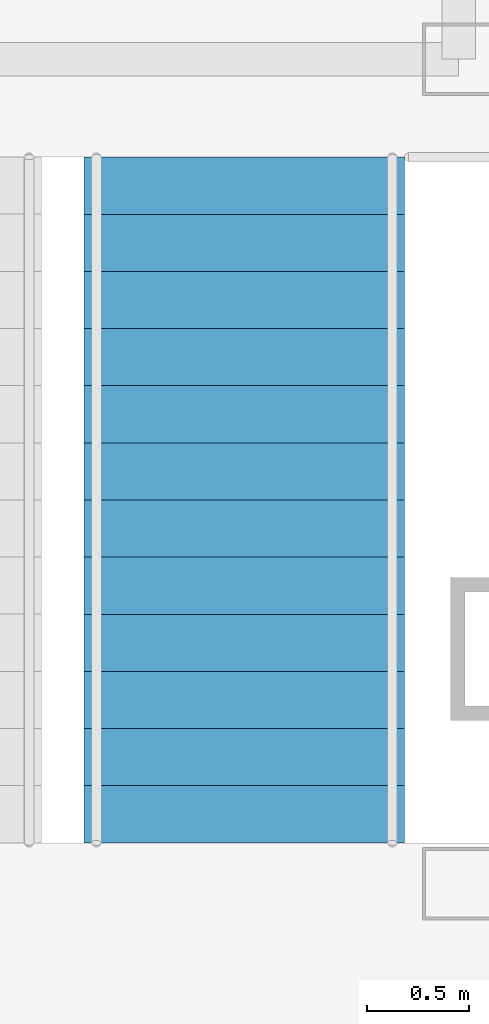
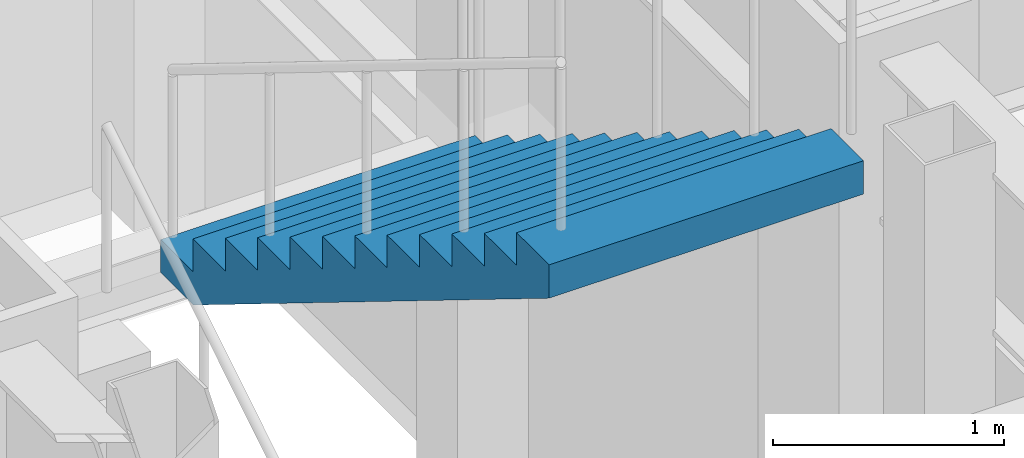
# One storey, part 14 of 26: 1 stair flight, 1 element without a shape of its own.
"""IFC4 building model written with IfcOpenShell, lengths in metres."""

from ifc_helpers import new_model, si_unit, direction, frame, origin, place, context, subcontext, project, spatial, faceted_brep, material, type_object, element, aggregate, save


model = new_model("IFC4")

# Units and contexts
model_context = context("Model", 3, precision=1e-05, world=origin(), true_north=direction((0.0, 1.0)))
body_context = subcontext(model_context, "Body", "Model", "MODEL_VIEW")
ifc_project = project(units=[si_unit("LENGTHUNIT", "METRE"), si_unit("AREAUNIT", "SQUARE_METRE"), si_unit("VOLUMEUNIT", "CUBIC_METRE"), si_unit("PLANEANGLEUNIT", "RADIAN"), si_unit("MASSUNIT", "GRAM", prefix="KILO")], contexts=[model_context])

# Site, building, storey
site_placement = place(None, origin())
site = spatial("IfcSite", under=ifc_project, at=site_placement, CompositionType="ELEMENT")
building_placement = place(site_placement, origin())
building = spatial("IfcBuilding", under=site, at=building_placement, Name="Chuquiago Exchange Tower", CompositionType="ELEMENT")
storey_placement = place(building_placement, frame((0.0, 0.0, 102.300048828125)))
storey = spatial("IfcBuildingStorey", under=building, at=storey_placement, Name="L21", CompositionType="ELEMENT", Elevation=102.300048828125)

# Stair, stair flight
ifc_material_1 = material(Name="Concrete C30/37, precast", Category="concrete")
stair_type = type_object("IfcStairType", Name="ST2 half-turn stair 4500", PredefinedType="HALF_TURN_STAIR", material=ifc_material_1)
stair_placement = place(storey_placement, origin())
stair = element("IfcStair", 1, at=stair_placement, inside=storey, type_object=stair_type, Name="Stair ST2 L21", PredefinedType="HALF_TURN_STAIR")
ifc_material_2 = material(Name="Concrete C30/37, precast", Category="concrete")
stair_flight_type = type_object("IfcStairFlightType", Name="ST-F flight 1570 for 4500 storey", PredefinedType="STRAIGHT", material=ifc_material_2)
stair_flight_placement = place(storey_placement, frame((31.639892578125, 26.409912109375, 2.25), z_axis=(0.0, 0.0, 1.0), x_axis=(0.0, -1.0, 0.0)))
stair_flight = element("IfcStairFlight", 2, at=stair_flight_placement, type_object=stair_flight_type, Name="ST2 flight 2", NumberOfRisers=13, NumberOfTreads=12, PredefinedType="STRAIGHT", RiserHeight=0.173076923, TreadLength=0.28, context=body_context, shape_type="Brep", body=[
    faceted_brep([(0.0, 0.78515625, 0.0), (0.0, 0.78515625, 0.173095703125), (0.280029296875, 0.78515625, 0.173095703125), (0.280029296875, 0.78515625, 0.34619140625), (0.56005859375, 0.78515625, 0.34619140625), (0.56005859375, 0.78515625, 0.519287109375), (0.840087890625, 0.78515625, 0.519287109375), (0.840087890625, 0.78515625, 0.6923828125), (1.1201171875, 0.78515625, 0.6923828125), (1.1201171875, 0.78515625, 0.865478515625), (1.39990234375, 0.78515625, 0.865478515625), (1.39990234375, 0.78515625, 1.03857421875), (1.679931640625, 0.78515625, 1.03857421875), (1.679931640625, 0.78515625, 1.21142578125), (1.9599609375, 0.78515625, 1.21142578125), (1.9599609375, 0.78515625, 1.384521484375), (2.239990234375, 0.78515625, 1.384521484375), (2.239990234375, 0.78515625, 1.5576171875), (2.52001953125, 0.78515625, 1.5576171875), (2.52001953125, 0.78515625, 1.730712890625), (2.800048828125, 0.78515625, 1.730712890625), (2.800048828125, 0.78515625, 1.90380859375), (3.080078125, 0.78515625, 1.90380859375), (3.080078125, 0.78515625, 2.076904296875), (3.360107421875, 0.78515625, 2.076904296875), (3.360107421875, 0.78515625, 1.900634765625), (0.28515625, 0.78515625, 0.0), (0.28515625, -0.78515625, 0.0), (3.360107421875, -0.78515625, 1.900634765625), (3.360107421875, -0.78515625, 2.076904296875), (3.080078125, -0.78515625, 2.076904296875), (3.080078125, -0.78515625, 1.90380859375), (2.800048828125, -0.78515625, 1.90380859375), (2.800048828125, -0.78515625, 1.730712890625), (2.52001953125, -0.78515625, 1.730712890625), (2.52001953125, -0.78515625, 1.5576171875), (2.239990234375, -0.78515625, 1.5576171875), (2.239990234375, -0.78515625, 1.384521484375), (1.9599609375, -0.78515625, 1.384521484375), (1.9599609375, -0.78515625, 1.21142578125), (1.679931640625, -0.78515625, 1.21142578125), (1.679931640625, -0.78515625, 1.03857421875), (1.39990234375, -0.78515625, 1.03857421875), (1.39990234375, -0.78515625, 0.865478515625), (1.1201171875, -0.78515625, 0.865478515625), (1.1201171875, -0.78515625, 0.6923828125), (0.840087890625, -0.78515625, 0.6923828125), (0.840087890625, -0.78515625, 0.519287109375), (0.56005859375, -0.78515625, 0.519287109375), (0.56005859375, -0.78515625, 0.34619140625), (0.280029296875, -0.78515625, 0.34619140625), (0.280029296875, -0.78515625, 0.173095703125), (0.0, -0.78515625, 0.173095703125), (0.0, -0.78515625, 0.0), (0.0, 0.392578125, 0.0), (0.0, 0.392578125, 0.173095703125), (0.0, 0.0, 0.0), (0.0, 0.0, 0.173095703125), (0.0, -0.392578125, 0.0), (0.0, -0.392578125, 0.173095703125), (0.280029296875, 0.392578125, 0.173095703125), (0.280029296875, 0.0, 0.173095703125), (0.280029296875, -0.392578125, 0.173095703125), (0.280029296875, 0.392578125, 0.34619140625), (0.280029296875, 0.0, 0.34619140625), (0.280029296875, -0.392578125, 0.34619140625), (0.56005859375, 0.392578125, 0.34619140625), (0.56005859375, 0.0, 0.34619140625), (0.56005859375, -0.392578125, 0.34619140625), (0.56005859375, 0.392578125, 0.519287109375), (0.56005859375, 0.0, 0.519287109375), (0.56005859375, -0.392578125, 0.519287109375), (0.840087890625, 0.392578125, 0.519287109375), (0.840087890625, 0.0, 0.519287109375), (0.840087890625, -0.392578125, 0.519287109375), (0.840087890625, 0.392578125, 0.6923828125), (0.840087890625, 0.0, 0.6923828125), (0.840087890625, -0.392578125, 0.6923828125), (1.1201171875, 0.392578125, 0.6923828125), (1.1201171875, 0.0, 0.6923828125), (1.1201171875, -0.392578125, 0.6923828125), (1.1201171875, 0.392578125, 0.865478515625), (1.1201171875, 0.0, 0.865478515625), (1.1201171875, -0.392578125, 0.865478515625), (1.39990234375, 0.392578125, 0.865478515625), (1.39990234375, 0.0, 0.865478515625), (1.39990234375, -0.392578125, 0.865478515625), (1.39990234375, 0.392578125, 1.03857421875), (1.39990234375, 0.0, 1.03857421875), (1.39990234375, -0.392578125, 1.03857421875), (1.679931640625, 0.392578125, 1.03857421875), (1.679931640625, 0.0, 1.03857421875), (1.679931640625, -0.392578125, 1.03857421875), (1.679931640625, 0.392578125, 1.21142578125), (1.679931640625, 0.0, 1.21142578125), (1.679931640625, -0.392578125, 1.21142578125), (1.9599609375, 0.392578125, 1.21142578125), (1.9599609375, 0.0, 1.21142578125), (1.9599609375, -0.392578125, 1.21142578125), (1.9599609375, 0.392578125, 1.384521484375), (1.9599609375, 0.0, 1.384521484375), (1.9599609375, -0.392578125, 1.384521484375), (2.239990234375, 0.392578125, 1.384521484375), (2.239990234375, 0.0, 1.384521484375), (2.239990234375, -0.392578125, 1.384521484375), (2.239990234375, 0.392578125, 1.5576171875), (2.239990234375, 0.0, 1.5576171875), (2.239990234375, -0.392578125, 1.5576171875), (2.52001953125, 0.392578125, 1.5576171875), (2.52001953125, 0.0, 1.5576171875), (2.52001953125, -0.392578125, 1.5576171875), (2.52001953125, 0.392578125, 1.730712890625), (2.52001953125, 0.0, 1.730712890625), (2.52001953125, -0.392578125, 1.730712890625), (2.800048828125, 0.392578125, 1.730712890625), (2.800048828125, 0.0, 1.730712890625), (2.800048828125, -0.392578125, 1.730712890625), (2.800048828125, 0.392578125, 1.90380859375), (2.800048828125, 0.0, 1.90380859375), (2.800048828125, -0.392578125, 1.90380859375), (3.080078125, 0.392578125, 1.90380859375), (3.080078125, 0.0, 1.90380859375), (3.080078125, -0.392578125, 1.90380859375), (3.080078125, 0.392578125, 2.076904296875), (3.080078125, 0.0, 2.076904296875), (3.080078125, -0.392578125, 2.076904296875), (3.360107421875, 0.392578125, 2.076904296875), (3.360107421875, 0.0, 2.076904296875), (3.360107421875, -0.392578125, 2.076904296875), (3.360107421875, 0.392578125, 1.900634765625), (3.360107421875, 0.0, 1.900634765625), (3.360107421875, -0.392578125, 1.900634765625), (0.28515625, 0.392578125, 0.0), (0.28515625, 0.0, 0.0), (0.28515625, -0.392578125, 0.0)], [[[0, 1, 2, 3, 4, 5, 6, 7, 8, 9, 10, 11, 12, 13, 14, 15, 16, 17, 18, 19, 20, 21, 22, 23, 24, 25, 26]], [[27, 28, 29, 30, 31, 32, 33, 34, 35, 36, 37, 38, 39, 40, 41, 42, 43, 44, 45, 46, 47, 48, 49, 50, 51, 52, 53]], [[1, 0, 54, 55]], [[55, 54, 56, 57]], [[57, 56, 58, 59]], [[59, 58, 53, 52]], [[2, 1, 55, 60]], [[60, 55, 57, 61]], [[61, 57, 59, 62]], [[62, 59, 52, 51]], [[3, 2, 60, 63]], [[63, 60, 61, 64]], [[64, 61, 62, 65]], [[65, 62, 51, 50]], [[4, 3, 63, 66]], [[66, 63, 64, 67]], [[67, 64, 65, 68]], [[68, 65, 50, 49]], [[5, 4, 66, 69]], [[69, 66, 67, 70]], [[70, 67, 68, 71]], [[71, 68, 49, 48]], [[6, 5, 69, 72]], [[72, 69, 70, 73]], [[73, 70, 71, 74]], [[74, 71, 48, 47]], [[7, 6, 72, 75]], [[75, 72, 73, 76]], [[76, 73, 74, 77]], [[77, 74, 47, 46]], [[8, 7, 75, 78]], [[78, 75, 76, 79]], [[79, 76, 77, 80]], [[80, 77, 46, 45]], [[9, 8, 78, 81]], [[81, 78, 79, 82]], [[82, 79, 80, 83]], [[83, 80, 45, 44]], [[10, 9, 81, 84]], [[84, 81, 82, 85]], [[85, 82, 83, 86]], [[86, 83, 44, 43]], [[11, 10, 84, 87]], [[87, 84, 85, 88]], [[88, 85, 86, 89]], [[89, 86, 43, 42]], [[12, 11, 87, 90]], [[90, 87, 88, 91]], [[91, 88, 89, 92]], [[92, 89, 42, 41]], [[13, 12, 90, 93]], [[93, 90, 91, 94]], [[94, 91, 92, 95]], [[95, 92, 41, 40]], [[14, 13, 93, 96]], [[96, 93, 94, 97]], [[97, 94, 95, 98]], [[98, 95, 40, 39]], [[15, 14, 96, 99]], [[99, 96, 97, 100]], [[100, 97, 98, 101]], [[101, 98, 39, 38]], [[16, 15, 99, 102]], [[102, 99, 100, 103]], [[103, 100, 101, 104]], [[104, 101, 38, 37]], [[17, 16, 102, 105]], [[105, 102, 103, 106]], [[106, 103, 104, 107]], [[107, 104, 37, 36]], [[18, 17, 105, 108]], [[108, 105, 106, 109]], [[109, 106, 107, 110]], [[110, 107, 36, 35]], [[19, 18, 108, 111]], [[111, 108, 109, 112]], [[112, 109, 110, 113]], [[113, 110, 35, 34]], [[20, 19, 111, 114]], [[114, 111, 112, 115]], [[115, 112, 113, 116]], [[116, 113, 34, 33]], [[21, 20, 114, 117]], [[117, 114, 115, 118]], [[118, 115, 116, 119]], [[119, 116, 33, 32]], [[22, 21, 117, 120]], [[120, 117, 118, 121]], [[121, 118, 119, 122]], [[122, 119, 32, 31]], [[23, 22, 120, 123]], [[123, 120, 121, 124]], [[124, 121, 122, 125]], [[125, 122, 31, 30]], [[24, 23, 123, 126]], [[126, 123, 124, 127]], [[127, 124, 125, 128]], [[128, 125, 30, 29]], [[25, 24, 126, 129]], [[129, 126, 127, 130]], [[130, 127, 128, 131]], [[131, 128, 29, 28]], [[26, 25, 129, 132]], [[132, 129, 130, 133]], [[133, 130, 131, 134]], [[134, 131, 28, 27]], [[0, 26, 132, 54]], [[54, 132, 133, 56]], [[56, 133, 134, 58]], [[58, 134, 27, 53]]]),
])
aggregate(stair, [stair_flight])

save(model, "model.ifc")
